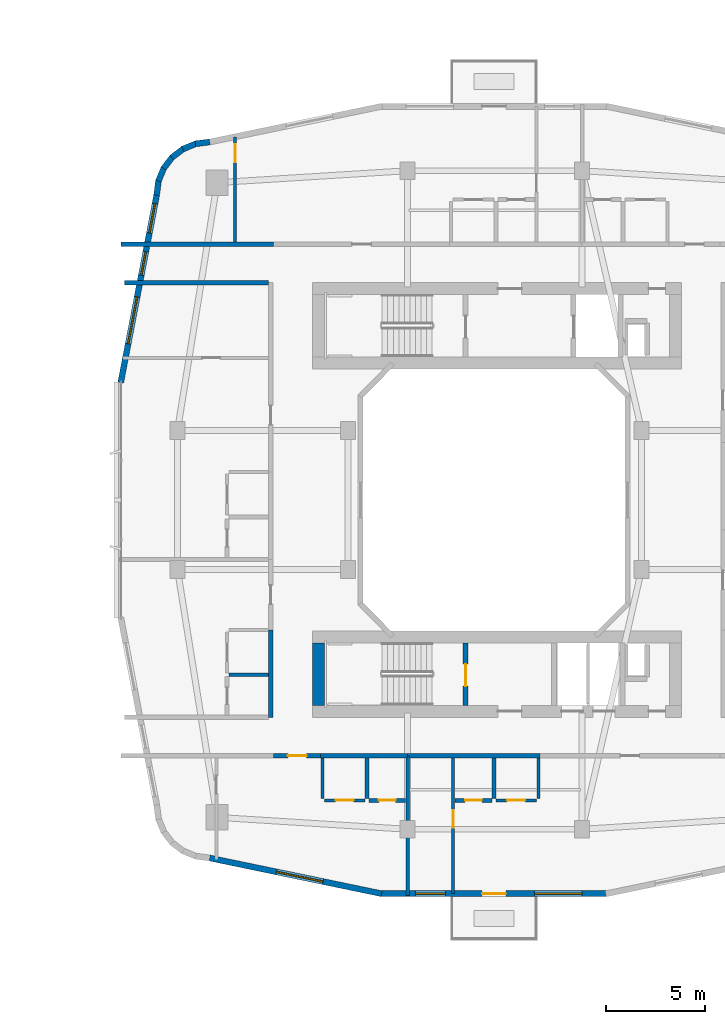
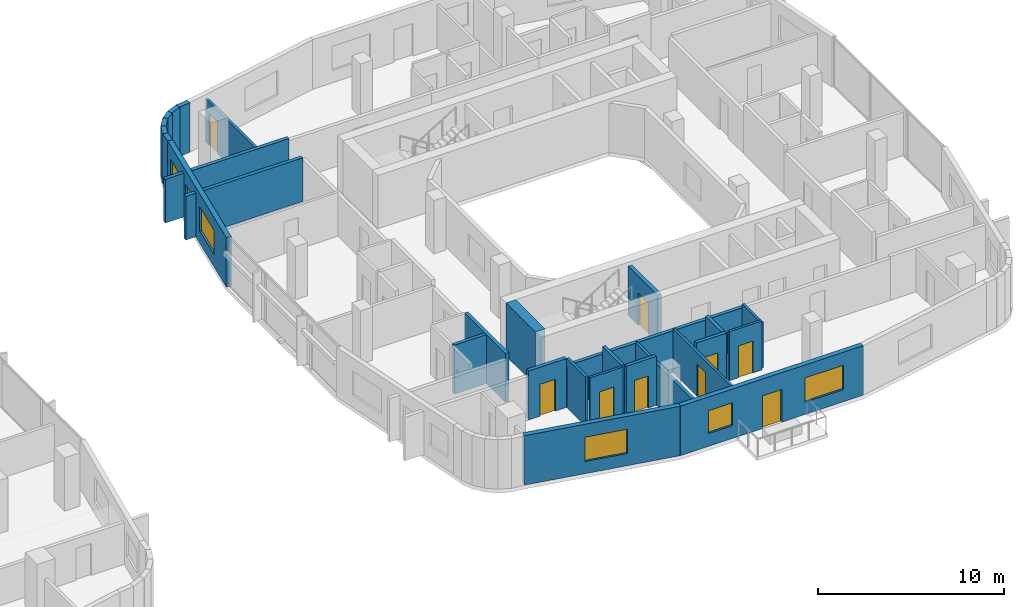
# One storey, part 13 of 22: 29 walls, 9 doors, 6 windows, 15 openings.
"""IFC4 building model written with IfcOpenShell, lengths in metres."""

import ifcopenshell
import ifcopenshell.guid

model = None  # the IFC model being written
_history = None  # IfcOwnerHistory: only IFC2X3 demands one
_inside = {}  # id of a spatial element -> (the spatial element, [elements in it])
_under = {}  # id of a project, library or spatial element -> (it, [spatial elements below it])
_declared = {}  # id of a project -> (the project, [libraries it declares])
_typed = {}  # id of a type object -> (the type object, [elements of that type])
_made_of = {}  # id of a material, layer set ... -> (it, [elements and type objects made of it])


def new_model(schema):
    """Start an empty IFC model of exactly this schema.

    Asked for "IFC4X3", IfcOpenShell would pick the latest addendum, in which some entities
    have other attributes; the version numbers below select the first issue.
    IFC2X3 requires an IfcOwnerHistory on every rooted entity: one is made here for all.
    """
    global model, _history
    if schema == "IFC4X3":
        model = ifcopenshell.file(schema_version=(4, 3, 0, 0))
    else:
        model = ifcopenshell.file(schema=schema)
    _inside.clear()
    _under.clear()
    _declared.clear()
    _typed.clear()
    _made_of.clear()
    _history = None
    if model.schema == "IFC2X3":
        org = make("IfcOrganization", Name="unknown")
        user = make(
            "IfcPersonAndOrganization",
            ThePerson=make("IfcPerson", FamilyName="unknown"),
            TheOrganization=org,
        )
        app = make(
            "IfcApplication",
            ApplicationDeveloper=org,
            Version="unknown",
            ApplicationFullName="unknown",
            ApplicationIdentifier="unknown",
        )
        _history = make(
            "IfcOwnerHistory",
            OwningUser=user,
            OwningApplication=app,
            ChangeAction="ADDED",
            CreationDate=0,
        )
    return model


def make(cls, **values):
    """One entity of the class cls with the attributes given. An attribute that is None is left unset."""
    return model.create_entity(
        cls, **{name: value for name, value in values.items() if value is not None}
    )


def rooted(cls, **values):
    """An entity with a GlobalId (a new one), such as an element, a storey or a relation."""
    return make(cls, GlobalId=ifcopenshell.guid.new(), OwnerHistory=_history, **values)


def si_unit(unit_type, name, prefix=None):
    """IfcSIUnit, for example si_unit("LENGTHUNIT", "METRE", prefix="MILLI")."""
    return make("IfcSIUnit", UnitType=unit_type, Prefix=prefix, Name=name)


def derived_unit(unit_type, elements):
    """IfcDerivedUnit: a product of units, each with its exponent."""
    return make(
        "IfcDerivedUnit",
        Elements=[
            make("IfcDerivedUnitElement", Unit=unit, Exponent=power)
            for unit, power in elements
        ],
        UnitType=unit_type,
    )


def assignment(units):
    """IfcUnitAssignment: the units of a project."""
    return None if units is None else make("IfcUnitAssignment", Units=units)


def point(xyz):
    """IfcCartesianPoint."""
    return None if xyz is None else make("IfcCartesianPoint", Coordinates=xyz)


def direction(xyz):
    """IfcDirection."""
    return None if xyz is None else make("IfcDirection", DirectionRatios=xyz)


def frame(location, z_axis=None, x_axis=None):
    """IfcAxis2Placement3D, a coordinate frame: its origin and axes. An axis left out is left unset."""
    return make(
        "IfcAxis2Placement3D",
        Location=point(location),
        Axis=direction(z_axis),
        RefDirection=direction(x_axis),
    )


def frame_2d(location, x_axis=None):
    """IfcAxis2Placement2D, a coordinate frame in the plane: its origin and x axis."""
    return make(
        "IfcAxis2Placement2D", Location=point(location), RefDirection=direction(x_axis)
    )


def origin():
    """The frame at (0, 0, 0) with its axes left unset."""
    return frame((0.0, 0.0, 0.0))


def place(relative_to, where):
    """IfcLocalPlacement: puts the frame where relative to a parent placement (None: the world)."""
    return make(
        "IfcLocalPlacement", PlacementRelTo=relative_to, RelativePlacement=where
    )


def context(
    kind, dimensions, precision=None, world=None, true_north=None, identifier=None
):
    """IfcGeometricRepresentationContext, for example the 3D "Model" context."""
    return make(
        "IfcGeometricRepresentationContext",
        ContextIdentifier=identifier,
        ContextType=kind,
        CoordinateSpaceDimension=dimensions,
        Precision=precision,
        WorldCoordinateSystem=world,
        TrueNorth=true_north,
    )


def subcontext(parent, identifier, kind, view, scale=None):
    """IfcGeometricRepresentationSubContext, for example "Body" below "Model"."""
    return make(
        "IfcGeometricRepresentationSubContext",
        ContextIdentifier=identifier,
        ContextType=kind,
        ParentContext=parent,
        TargetScale=scale,
        TargetView=view,
    )


def project(units=None, contexts=None):
    """IfcProject with its units and contexts."""
    return rooted(
        "IfcProject",
        Name="project",
        RepresentationContexts=contexts,
        UnitsInContext=assignment(units),
    )


def spatial(cls, under=None, at=None, **own):
    """A site, building, storey or space (cls), placed at a placement, below another one or the project."""
    s = rooted(cls, ObjectPlacement=at, **own)
    if under is not None:
        _under.setdefault(under.id(), (under, []))[1].append(s)
    return s


def profile(cls, at=None, kind="AREA", **sizes):
    """A parametric profile (cls). Its sizes go by their IFC names, for example OverallWidth=200.0."""
    return make(cls, ProfileType=kind, Position=at, **sizes)


def rectangle(**sizes):
    """IfcRectangleProfileDef."""
    return profile("IfcRectangleProfileDef", **sizes)


def extrude(swept, where, along, depth):
    """IfcExtrudedAreaSolid: the profile swept, set in the frame where, extruded along a direction by depth."""
    return make(
        "IfcExtrudedAreaSolid",
        SweptArea=swept,
        Position=where,
        ExtrudedDirection=direction(along),
        Depth=depth,
    )


def shape(context_of_items, identifier, shape_type, items):
    """IfcShapeRepresentation: the items that make up one representation, for example the "Body"."""
    return make(
        "IfcShapeRepresentation",
        ContextOfItems=context_of_items,
        RepresentationIdentifier=identifier,
        RepresentationType=shape_type,
        Items=items,
    )


def material(Name=None, Category=None):
    """IfcMaterial."""
    return make("IfcMaterial", Name=Name, Category=Category)


def layer(
    of_material, thickness, ventilated=None, Name=None, Category=None, Priority=None
):
    """IfcMaterialLayer: one layer of a wall or slab, of a material (None: an air gap)."""
    return make(
        "IfcMaterialLayer",
        Material=of_material,
        LayerThickness=thickness,
        IsVentilated=ventilated,
        Name=Name,
        Category=Category,
        Priority=Priority,
    )


def layer_set(layers, Name=None):
    """IfcMaterialLayerSet."""
    return make("IfcMaterialLayerSet", MaterialLayers=layers, LayerSetName=Name)


def made_of(thing, what):
    """Note that an element or type object is made of a material, layer set ...; save() writes the relation."""
    if what is not None:
        _made_of.setdefault(what.id(), (what, []))[1].append(thing)
    return thing


def type_object(cls, material=None, **own):
    """A type object (cls), such as IfcWallType, which elements share."""
    return made_of(rooted(cls, **own), material)


def element(
    cls,
    number,
    at=None,
    inside=None,
    cuts=None,
    type_object=None,
    material=None,
    context=None,
    identifier="Body",
    shape_type=None,
    held_by="IfcProductDefinitionShape",
    body=None,
    shapes=None,
    **own,
):
    """One element of the class cls, such as IfcWall. Its Tag is "e" and its number.

    at: its placement. inside: the storey or other place that contains it. cuts: it is an
    opening in that element (IfcRelVoidsElement). A single representation is given by context,
    identifier, shape_type and body (its items); several are given by shapes. held_by: the class
    of the entity that holds the representations. save() writes the other relations.
    """
    e = rooted(cls, Tag="e%d" % number, ObjectPlacement=at, **own)
    if body is not None:
        shapes = [shape(context, identifier, shape_type, body)]
    if shapes is not None:
        e.Representation = make(held_by, Representations=shapes)
    if inside is not None:
        _inside.setdefault(inside.id(), (inside, []))[1].append(e)
    if cuts is not None:
        rooted(
            "IfcRelVoidsElement", RelatingBuildingElement=cuts, RelatedOpeningElement=e
        )
    if type_object is not None:
        _typed.setdefault(type_object.id(), (type_object, []))[1].append(e)
    return made_of(e, material)


def fill(opening, filler):
    """IfcRelFillsElement: the door or window that sits in an opening."""
    return rooted(
        "IfcRelFillsElement",
        RelatingOpeningElement=opening,
        RelatedBuildingElement=filler,
    )


def aggregate(whole, parts):
    """IfcRelAggregates: a whole, such as a stair, and the parts it consists of."""
    return rooted("IfcRelAggregates", RelatingObject=whole, RelatedObjects=parts)


def save(model, path):
    """Write the relations noted so far, then the file.

    IfcRelAggregates (storeys below a building ...), IfcRelContainedInSpatialStructure (elements
    in a storey), IfcRelDefinesByType, IfcRelAssociatesMaterial and IfcRelDeclares: one each for
    every whole, place, type object, material and project.
    """
    for whole, parts in _under.values():
        aggregate(whole, parts)
    for where, things in _inside.values():
        rooted(
            "IfcRelContainedInSpatialStructure",
            RelatedElements=things,
            RelatingStructure=where,
        )
    for kind, things in _typed.values():
        rooted("IfcRelDefinesByType", RelatedObjects=things, RelatingType=kind)
    for what, things in _made_of.values():
        rooted("IfcRelAssociatesMaterial", RelatedObjects=things, RelatingMaterial=what)
    for by, libraries in _declared.values():
        rooted("IfcRelDeclares", RelatingContext=by, RelatedDefinitions=libraries)
    model.write(path)


model = new_model("IFC4")

# Units and contexts
model_context = context("Model", 3, precision=1e-05, world=origin(), true_north=direction((0.0, 1.0)))
body_context = subcontext(model_context, "Body", "Model", "MODEL_VIEW")
ifc_project = project(units=[si_unit("LENGTHUNIT", "METRE"), si_unit("AREAUNIT", "SQUARE_METRE"), si_unit("VOLUMEUNIT", "CUBIC_METRE"), si_unit("PLANEANGLEUNIT", "RADIAN"), si_unit("MASSUNIT", "GRAM", prefix="KILO"), derived_unit("THERMALTRANSMITTANCEUNIT", [(si_unit("POWERUNIT", "WATT"), 1), (si_unit("LENGTHUNIT", "METRE"), -2), (si_unit("THERMODYNAMICTEMPERATUREUNIT", "KELVIN"), -1)])], contexts=[model_context])

# Site, building, storey
site_placement = place(None, origin())
site = spatial("IfcSite", under=ifc_project, at=site_placement, CompositionType="ELEMENT")
building_placement = place(site_placement, origin())
building = spatial("IfcBuilding", under=site, at=building_placement, Name="Kivonza Crest Hotel", CompositionType="ELEMENT")
storey_placement = place(building_placement, frame((0.0, 0.0, 48.5)))
storey = spatial("IfcBuildingStorey", under=building, at=storey_placement, Name="L12", CompositionType="ELEMENT", Elevation=48.5)

# Walls
ifc_material_1 = material(Name="High-density acoustic masonry inter-tenancy wall", Category="masonry")
ifc_layer_1 = layer(ifc_material_1, 0.179931640625)
ifc_layer_set_1 = layer_set([ifc_layer_1], Name="High-density acoustic masonry inter-tenancy wall")
wall_type_1 = type_object("IfcWallType", Name="WL-ACOU-180", PredefinedType="SOLIDWALL", material=ifc_layer_set_1)
wall_1_placement = place(storey_placement, frame((72.60009765625, 5.06005859375, 0.0), z_axis=(0.0, 0.0, 1.0), x_axis=(0.0, 1.0, 0.0)))
element("IfcWall", 1, at=wall_1_placement, inside=storey, type_object=wall_type_1, Name="L12 interior partition WA-L12-T2S-DIV1", PredefinedType="SOLIDWALL", context=body_context, shape_type="SweptSolid", body=[
    extrude(rectangle(XDim=7.0400390625, YDim=0.179931640625, at=frame_2d((3.52001953125, 0.0))), origin(), (0.0, 0.0, 1.0), 2.72509765625),
])
ifc_material_2 = material(Name="Autoclaved aerated concrete blockwork", Category="masonry")
ifc_layer_2 = layer(ifc_material_2, 0.219970703125)
ifc_layer_set_2 = layer_set([ifc_layer_2], Name="Autoclaved aerated concrete blockwork")
wall_type_2 = type_object("IfcWallType", Name="WL-ACOU-220", PredefinedType="SOLIDWALL", material=ifc_layer_set_2)
wall_2_placement = place(storey_placement, frame((58.159912109375, 37.89990234375, 0.0), z_axis=(0.0, 0.0, 1.0), x_axis=(1.0, 0.0, 0.0)))
element("IfcWall", 2, at=wall_2_placement, inside=storey, type_object=wall_type_2, Name="L12 interior partition WA-L12-A01-LCORR", PredefinedType="SOLIDWALL", context=body_context, shape_type="SweptSolid", body=[
    extrude(rectangle(XDim=7.690185546875, YDim=0.219970703125, at=frame_2d((3.84521484375, 0.0))), origin(), (0.0, 0.0, 1.0), 2.864990234375),
])
wall_3_placement = place(storey_placement, frame((68.219970703125, 12.10009765625, 0.0), z_axis=(0.0, 0.0, 1.0), x_axis=(1.0, 0.0, 0.0)))
element("IfcWall", 3, at=wall_3_placement, inside=storey, type_object=wall_type_2, Name="L12 interior partition WA-L12-A03-RCORR", PredefinedType="SOLIDWALL", context=body_context, shape_type="SweptSolid", body=[
    extrude(rectangle(XDim=4.380126953125, YDim=0.219970703125, at=frame_2d((2.18994140625, 0.0))), origin(), (0.0, 0.0, 1.0), 2.72509765625),
])

# Wall, opening, door
wall_4_placement = place(storey_placement, frame((65.85009765625, 12.10009765625, 0.0), z_axis=(0.0, 0.0, 1.0), x_axis=(1.0, 0.0, 0.0)))
wall_4 = element("IfcWall", 4, at=wall_4_placement, inside=storey, type_object=wall_type_2, Name="L12 interior partition WA-L12-A03-MCORR", PredefinedType="SOLIDWALL", context=body_context, shape_type="SweptSolid", body=[
    extrude(rectangle(XDim=2.369873046875, YDim=0.219970703125, at=frame_2d((1.18505859375, 0.0))), origin(), (0.0, 0.0, 1.0), 3.219970703125),
])
opening_1_placement = place(wall_4_placement, frame((0.7099609375, 0.0, 0.0)))
opening_1 = element("IfcOpeningElement", 5, at=opening_1_placement, cuts=wall_4, Name="Opening DU-60", PredefinedType="OPENING", context=body_context, shape_type="SweptSolid", body=[
    extrude(rectangle(XDim=0.949951171875, YDim=2.10009765625, at=frame_2d((0.47509765625, 1.050048828125))), frame((0.0, 0.1201171875, 0.0), z_axis=(0.0, -1.0, 0.0), x_axis=(1.0, 0.0, 0.0)), (0.0, 0.0, 1.0), 0.239990234375),
])
ifc_material_3 = material(Name="Hardwood timber oak", Category="wood")
door_type_1 = type_object("IfcDoorType", Name="DR-UNIT-950", OperationType="NOTDEFINED", PredefinedType="DOOR", material=ifc_material_3)
door_1_placement = place(opening_1_placement, frame((0.949951171875, 0.0, 0.0), z_axis=(0.0, 0.0, 1.0), x_axis=(-1.0, 0.0, 0.0)))
door_1 = element("IfcDoor", 6, at=door_1_placement, inside=storey, type_object=door_type_1, Name="L12 A03 apartment entrance fire door", OperationType="SINGLE_SWING_LEFT", OverallHeight=2.10009765625, OverallWidth=0.949951171875, PredefinedType="DOOR", context=body_context, shape_type="SweptSolid", body=[
    extrude(rectangle(XDim=0.949951171875, YDim=2.10009765625, at=frame_2d((0.47509765625, 1.050048828125))), frame((0.0, 0.02490234375, 0.0), z_axis=(0.0, -1.0, 0.0), x_axis=(1.0, 0.0, 0.0)), (0.0, 0.0, 1.0), 0.050048828125),
])
fill(opening_1, door_1)

# Walls
wall_5_placement = place(storey_placement, frame((72.60009765625, 12.10009765625, 0.0), z_axis=(0.0, 0.0, 1.0), x_axis=(1.0, 0.0, 0.0)))
element("IfcWall", 7, at=wall_5_placement, inside=storey, type_object=wall_type_2, Name="L12 interior partition WA-L12-A04-LCORR", PredefinedType="SOLIDWALL", context=body_context, shape_type="SweptSolid", body=[
    extrude(rectangle(XDim=6.679931640625, YDim=0.219970703125, at=frame_2d((3.33984375, 0.0))), origin(), (0.0, 0.0, 1.0), 2.72509765625),
])
wall_6_placement = place(storey_placement, frame((58.320068359375, 35.9599609375, 0.0), z_axis=(0.0, 0.0, 1.0), x_axis=(1.0, 0.0, 0.0)))
element("IfcWall", 8, at=wall_6_placement, inside=storey, type_object=wall_type_2, Name="L12 interior partition WA-L12-T2W-ENDN", PredefinedType="SOLIDWALL", context=body_context, shape_type="SweptSolid", body=[
    extrude(rectangle(XDim=7.280029296875, YDim=0.219970703125, at=frame_2d((3.64013671875, 0.0))), origin(), (0.0, 0.0, 1.0), 2.864990234375),
])
wall_7_placement = place(storey_placement, frame((65.699951171875, 14.0400390625, 0.0), z_axis=(0.0, 0.0, 1.0), x_axis=(0.0, 1.0, 0.0)))
element("IfcWall", 9, at=wall_7_placement, inside=storey, type_object=wall_type_2, Name="L12 interior partition WA-L12-A05-BCORR", PredefinedType="SOLIDWALL", context=body_context, shape_type="SweptSolid", body=[
    extrude(rectangle(XDim=4.39990234375, YDim=0.219970703125, at=frame_2d((2.199951171875, 0.0))), origin(), (0.0, 0.0, 1.0), 3.219970703125),
])
ifc_material_4 = material(Name="Concrete C60/75", Category="concrete")
ifc_layer_3 = layer(ifc_material_4, 0.60009765625)
ifc_layer_set_3 = layer_set([ifc_layer_3], Name="Concrete C60/75")
wall_type_3 = type_object("IfcWallType", Name="WL-CORE-600", PredefinedType="SHEAR", material=ifc_layer_set_3)
wall_8_placement = place(storey_placement, frame((68.10009765625, 14.639892578125, 0.0), z_axis=(0.0, 0.0, 1.0), x_axis=(0.0, 1.0, 0.0)))
element("IfcWall", 10, at=wall_8_placement, inside=storey, type_object=wall_type_3, Name="Core wall T2-S West L12", PredefinedType="SHEAR", context=body_context, shape_type="SweptSolid", body=[
    extrude(rectangle(XDim=3.16015625, YDim=0.60009765625, at=frame_2d((1.580078125, 0.0))), origin(), (0.0, 0.0, 1.0), 3.5),
])

# Wall, opening, window
ifc_material_5 = material(Name="Precast concrete C40/50", Category="concrete")
ifc_layer_4 = layer(ifc_material_5, 0.300048828125)
ifc_layer_set_4 = layer_set([ifc_layer_4], Name="Precast concrete C40/50")
wall_type_4 = type_object("IfcWallType", Name="WL-EXT-300", PredefinedType="STANDARD", material=ifc_layer_set_4)
wall_9_placement = place(storey_placement, frame((62.6220703125, 6.948974609375, 0.0), z_axis=(0.0, 0.0, 1.0), x_axis=(0.979119654102, -0.203284782882, 0.0)))
wall_9 = element("IfcWall", 11, at=wall_9_placement, inside=storey, type_object=wall_type_4, Name="L12 T2 exterior insulated wall 7", PredefinedType="STANDARD", context=body_context, shape_type="SweptSolid", body=[
    extrude(rectangle(XDim=8.854736328125, YDim=0.300048828125, at=frame_2d((4.42724609375, 0.0))), origin(), (0.0, 0.0, 1.0), 3.25),
])
opening_2_placement = place(wall_9_placement, frame((3.43896484375, 0.0, 0.800048828125)))
opening_2 = element("IfcOpeningElement", 12, at=opening_2_placement, cuts=wall_9, Name="Opening WN-05", PredefinedType="OPENING", context=body_context, shape_type="SweptSolid", body=[
    extrude(rectangle(XDim=2.39990234375, YDim=1.60009765625, at=frame_2d((1.199951171875, 0.800048828125))), frame((0.0, 0.16015625, 0.0), z_axis=(0.0, -1.0, 0.0), x_axis=(1.0, 0.0, 0.0)), (0.0, 0.0, 1.0), 0.320068359375),
])
ifc_material_6 = material(Name="Thermally broken bronze aluminium and low-E double glazing", Category="aluminium")
window_type_1 = type_object("IfcWindowType", Name="WN-240x160", PartitioningType="TRIPLE_PANEL_VERTICAL", PredefinedType="WINDOW", material=ifc_material_6)
window_1_placement = place(opening_2_placement, origin())
window_1 = element("IfcWindow", 13, at=window_1_placement, inside=storey, type_object=window_type_1, Name="L12 T2 facade window 7", OverallHeight=1.60009765625, OverallWidth=2.39990234375, PartitioningType="SINGLE_PANEL", PredefinedType="WINDOW", context=body_context, shape_type="SweptSolid", body=[
    extrude(rectangle(XDim=2.39990234375, YDim=1.60009765625, at=frame_2d((1.199951171875, 0.800048828125))), frame((0.0, 0.030029296875, 0.0), z_axis=(0.0, -1.0, 0.0), x_axis=(1.0, 0.0, 0.0)), (0.0, 0.0, 1.0), 0.06005859375),
])
fill(opening_2, window_1)

# Wall, openings, door, windows
wall_10_placement = place(storey_placement, frame((71.2470703125, 5.14990234375, 0.0), z_axis=(0.0, 0.0, 1.0), x_axis=(1.0, 0.0, 0.0)))
wall_10 = element("IfcWall", 14, at=wall_10_placement, inside=storey, type_object=wall_type_4, Name="L12 T2 exterior insulated wall 8", PredefinedType="STANDARD", context=body_context, shape_type="SweptSolid", body=[
    extrude(rectangle(XDim=11.390869140625, YDim=0.300048828125, at=frame_2d((5.6953125, 0.0))), origin(), (0.0, 0.0, 1.0), 3.25),
])
opening_3_placement = place(wall_10_placement, frame((5.113037109375, 0.0, 0.0)))
opening_3 = element("IfcOpeningElement", 15, at=opening_3_placement, cuts=wall_10, Name="Opening DT-120", PredefinedType="OPENING", context=body_context, shape_type="SweptSolid", body=[
    extrude(rectangle(XDim=1.199951171875, YDim=2.14990234375, at=frame_2d((0.60009765625, 1.074951171875))), frame((0.0, 0.16015625, 0.0), z_axis=(0.0, -1.0, 0.0), x_axis=(1.0, 0.0, 0.0)), (0.0, 0.0, 1.0), 0.320068359375),
])
opening_4_placement = place(wall_10_placement, frame((1.7529296875, 0.0, 0.85009765625)))
opening_4 = element("IfcOpeningElement", 16, at=opening_4_placement, cuts=wall_10, Name="Opening WN-02", PredefinedType="OPENING", context=body_context, shape_type="SweptSolid", body=[
    extrude(rectangle(XDim=1.5, YDim=1.5, at=frame_2d((0.75, 0.75))), frame((0.0, 0.16015625, 0.0), z_axis=(0.0, -1.0, 0.0), x_axis=(1.0, 0.0, 0.0)), (0.0, 0.0, 1.0), 0.320068359375),
])
opening_5_placement = place(wall_10_placement, frame((7.757080078125, 0.0, 0.800048828125)))
opening_5 = element("IfcOpeningElement", 17, at=opening_5_placement, cuts=wall_10, Name="Opening WN-05", PredefinedType="OPENING", context=body_context, shape_type="SweptSolid", body=[
    extrude(rectangle(XDim=2.39990234375, YDim=1.60009765625, at=frame_2d((1.199951171875, 0.800048828125))), frame((0.0, 0.16015625, 0.0), z_axis=(0.0, -1.0, 0.0), x_axis=(1.0, 0.0, 0.0)), (0.0, 0.0, 1.0), 0.320068359375),
])
ifc_material_7 = material(Name="Anodised bronze aluminium and laminated safety glass", Category="aluminium")
door_type_2 = type_object("IfcDoorType", Name="DR-TERR-1200", OperationType="NOTDEFINED", PredefinedType="DOOR", material=ifc_material_7)
door_2_placement = place(opening_3_placement, frame((1.199951171875, 0.0, 0.0), z_axis=(0.0, 0.0, 1.0), x_axis=(-1.0, 0.0, 0.0)))
door_2 = element("IfcDoor", 18, at=door_2_placement, inside=storey, type_object=door_type_2, Name="T2 L12 SW sky-garden bridge access door", OperationType="SINGLE_SWING_RIGHT", OverallHeight=2.14990234375, OverallWidth=1.199951171875, PredefinedType="DOOR", context=body_context, shape_type="SweptSolid", body=[
    extrude(rectangle(XDim=1.199951171875, YDim=2.14990234375, at=frame_2d((0.60009765625, 1.074951171875))), frame((0.0, 0.02490234375, 0.0), z_axis=(0.0, -1.0, 0.0), x_axis=(1.0, 0.0, 0.0)), (0.0, 0.0, 1.0), 0.050048828125),
])
fill(opening_3, door_2)
window_type_2 = type_object("IfcWindowType", Name="WN-150x150", PartitioningType="DOUBLE_PANEL_VERTICAL", PredefinedType="WINDOW", material=ifc_material_6)
window_2_placement = place(opening_4_placement, origin())
window_2 = element("IfcWindow", 19, at=window_2_placement, inside=storey, type_object=window_type_2, Name="L12 T2 facade window 8 bay 1", OverallHeight=1.5, OverallWidth=1.5, PartitioningType="SINGLE_PANEL", PredefinedType="WINDOW", context=body_context, shape_type="SweptSolid", body=[
    extrude(rectangle(XDim=1.5, YDim=1.5, at=frame_2d((0.75, 0.75))), frame((0.0, 0.030029296875, 0.0), z_axis=(0.0, -1.0, 0.0), x_axis=(1.0, 0.0, 0.0)), (0.0, 0.0, 1.0), 0.06005859375),
])
fill(opening_4, window_2)
window_3_placement = place(opening_5_placement, origin())
window_3 = element("IfcWindow", 20, at=window_3_placement, inside=storey, type_object=window_type_1, Name="L12 T2 facade window 8 bay 2", OverallHeight=1.60009765625, OverallWidth=2.39990234375, PartitioningType="SINGLE_PANEL", PredefinedType="WINDOW", context=body_context, shape_type="SweptSolid", body=[
    extrude(rectangle(XDim=2.39990234375, YDim=1.60009765625, at=frame_2d((1.199951171875, 0.800048828125))), frame((0.0, 0.030029296875, 0.0), z_axis=(0.0, -1.0, 0.0), x_axis=(1.0, 0.0, 0.0)), (0.0, 0.0, 1.0), 0.06005859375),
])
fill(opening_5, window_3)

# Walls
wall_11_placement = place(storey_placement, frame((62.626953125, 43.052001953125, 0.0), z_axis=(0.0, 0.0, 1.0), x_axis=(-0.991480488834, -0.130255288807, 0.0)))
element("IfcWall", 21, at=wall_11_placement, inside=storey, type_object=wall_type_4, Name="L12 T2 exterior insulated wall 28", PredefinedType="STANDARD", context=body_context, shape_type="SweptSolid", body=[
    extrude(rectangle(XDim=0.72900390625, YDim=0.300048828125, at=frame_2d((0.364501953125, 0.0))), origin(), (0.0, 0.0, 1.0), 3.25),
])
for number, where, z_axis, x_axis, name in (
    (22, (61.955078125, 42.97607421875, 0.0), (0.0, 0.0, 1.0), (-0.923521684703, -0.383546213491, 0.0), "L12 T2 exterior insulated wall 29"),
    (23, (61.31103515625, 42.720947265625, 0.0), (0.0, 0.0, 1.0), (-0.79363269798, -0.608397189915, 0.0), "L12 T2 exterior insulated wall 30"),
    (24, (60.75390625, 42.30908203125, 0.0), (0.0, 0.0, 1.0), (-0.608397189915, -0.79363269798, 0.0), "L12 T2 exterior insulated wall 31"),
    (25, (60.323974609375, 41.76611328125, 0.0), (0.0, 0.0, 1.0), (-0.383151213466, -0.923685632463, 0.0), "L12 T2 exterior insulated wall 32"),
):
    element("IfcWall", number, at=place(storey_placement, frame(where, z_axis=z_axis, x_axis=x_axis)), inside=storey, type_object=wall_type_4, Name=name, PredefinedType="STANDARD", context=body_context, shape_type="SweptSolid", body=[
        extrude(rectangle(XDim=0.74609375, YDim=0.300048828125, at=frame_2d((0.373046875, 0.0))), origin(), (0.0, 0.0, 1.0), 3.25),
    ])
wall_12_placement = place(storey_placement, frame((60.047119140625, 41.131103515625, 0.0), z_axis=(0.0, 0.0, 1.0), x_axis=(-0.129653178221, -0.991559404866, 0.0)))
element("IfcWall", 26, at=wall_12_placement, inside=storey, type_object=wall_type_4, Name="L12 T2 exterior insulated wall 33", PredefinedType="STANDARD", context=body_context, shape_type="SweptSolid", body=[
    extrude(rectangle(XDim=0.764404296875, YDim=0.300048828125, at=frame_2d((0.38232421875, 0.0))), origin(), (0.0, 0.0, 1.0), 3.25),
])

# Wall, openings, windows
wall_13_placement = place(storey_placement, frame((59.948974609375, 40.3798828125, 0.0), z_axis=(0.0, 0.0, 1.0), x_axis=(-0.188087874316, -0.982152203854, 0.0)))
wall_13 = element("IfcWall", 27, at=wall_13_placement, inside=storey, type_object=wall_type_4, Name="L12 T2 exterior insulated wall 34", PredefinedType="STANDARD", context=body_context, shape_type="SweptSolid", body=[
    extrude(rectangle(XDim=9.6337890625, YDim=0.300048828125, at=frame_2d((4.81689453125, 0.0))), origin(), (0.0, 0.0, 1.0), 3.25),
])
opening_6_placement = place(wall_13_placement, frame((0.451904296875, 0.0, 0.85009765625)))
opening_6 = element("IfcOpeningElement", 28, at=opening_6_placement, cuts=wall_13, Name="Opening WN-02", PredefinedType="OPENING", context=body_context, shape_type="SweptSolid", body=[
    extrude(rectangle(XDim=1.5, YDim=1.5, at=frame_2d((0.75, 0.75))), frame((0.0, 0.16015625, 0.0), z_axis=(0.0, -1.0, 0.0), x_axis=(1.0, 0.0, 0.0)), (0.0, 0.0, 1.0), 0.320068359375),
])
opening_7_placement = place(wall_13_placement, frame((2.9130859375, 0.0, 0.85009765625)))
opening_7 = element("IfcOpeningElement", 29, at=opening_7_placement, cuts=wall_13, Name="Opening WN-01", PredefinedType="OPENING", context=body_context, shape_type="SweptSolid", body=[
    extrude(rectangle(XDim=1.199951171875, YDim=1.5, at=frame_2d((0.60009765625, 0.75))), frame((0.0, 0.16015625, 0.0), z_axis=(0.0, -1.0, 0.0), x_axis=(1.0, 0.0, 0.0)), (0.0, 0.0, 1.0), 0.320068359375),
])
opening_8_placement = place(wall_13_placement, frame((5.235107421875, 0.0, 0.800048828125)))
opening_8 = element("IfcOpeningElement", 30, at=opening_8_placement, cuts=wall_13, Name="Opening WN-05", PredefinedType="OPENING", context=body_context, shape_type="SweptSolid", body=[
    extrude(rectangle(XDim=2.39990234375, YDim=1.60009765625, at=frame_2d((1.199951171875, 0.800048828125))), frame((0.0, 0.16015625, 0.0), z_axis=(0.0, -1.0, 0.0), x_axis=(1.0, 0.0, 0.0)), (0.0, 0.0, 1.0), 0.320068359375),
])
window_type_3 = type_object("IfcWindowType", Name="WN-120x150", PartitioningType="SINGLE_PANEL", PredefinedType="WINDOW", material=ifc_material_6)
window_4_placement = place(opening_7_placement, origin())
window_4 = element("IfcWindow", 31, at=window_4_placement, inside=storey, type_object=window_type_3, Name="L12 T2 facade window 34 bay 2", OverallHeight=1.5, OverallWidth=1.199951171875, PartitioningType="SINGLE_PANEL", PredefinedType="WINDOW", context=body_context, shape_type="SweptSolid", body=[
    extrude(rectangle(XDim=1.199951171875, YDim=1.5, at=frame_2d((0.60009765625, 0.75))), frame((0.0, 0.030029296875, 0.0), z_axis=(0.0, -1.0, 0.0), x_axis=(1.0, 0.0, 0.0)), (0.0, 0.0, 1.0), 0.06005859375),
])
fill(opening_7, window_4)
window_5_placement = place(opening_6_placement, origin())
window_5 = element("IfcWindow", 32, at=window_5_placement, inside=storey, type_object=window_type_2, Name="L12 T2 facade window 34 bay 1", OverallHeight=1.5, OverallWidth=1.5, PartitioningType="SINGLE_PANEL", PredefinedType="WINDOW", context=body_context, shape_type="SweptSolid", body=[
    extrude(rectangle(XDim=1.5, YDim=1.5, at=frame_2d((0.75, 0.75))), frame((0.0, 0.030029296875, 0.0), z_axis=(0.0, -1.0, 0.0), x_axis=(1.0, 0.0, 0.0)), (0.0, 0.0, 1.0), 0.06005859375),
])
fill(opening_6, window_5)
window_6_placement = place(opening_8_placement, origin())
window_6 = element("IfcWindow", 33, at=window_6_placement, inside=storey, type_object=window_type_1, Name="L12 T2 facade window 34 bay 3", OverallHeight=1.60009765625, OverallWidth=2.39990234375, PartitioningType="SINGLE_PANEL", PredefinedType="WINDOW", context=body_context, shape_type="SweptSolid", body=[
    extrude(rectangle(XDim=2.39990234375, YDim=1.60009765625, at=frame_2d((1.199951171875, 0.800048828125))), frame((0.0, 0.030029296875, 0.0), z_axis=(0.0, -1.0, 0.0), x_axis=(1.0, 0.0, 0.0)), (0.0, 0.0, 1.0), 0.06005859375),
])
fill(opening_8, window_6)

# Wall, opening, door
ifc_material_8 = material(Name="Twin-stud acoustic gypsum board partition", Category="gypsum")
ifc_layer_5 = layer(ifc_material_8, 0.14990234375)
ifc_layer_set_5 = layer_set([ifc_layer_5], Name="Twin-stud acoustic gypsum board partition")
wall_type_5 = type_object("IfcWallType", Name="WL-PART-150", PredefinedType="PARTITIONING", material=ifc_layer_set_5)
wall_14_placement = place(storey_placement, frame((63.909912109375, 38.0, 0.0), z_axis=(0.0, 0.0, 1.0), x_axis=(0.0, 1.0, 0.0)))
wall_14 = element("IfcWall", 34, at=wall_14_placement, inside=storey, type_object=wall_type_5, Name="L12 interior partition WP-L12-A01-BDW1", PredefinedType="PARTITIONING", context=body_context, shape_type="SweptSolid", body=[
    extrude(rectangle(XDim=5.31103515625, YDim=0.14990234375, at=frame_2d((2.655517578125, 0.0))), origin(), (0.0, 0.0, 1.0), 2.864990234375),
])
opening_9_placement = place(wall_14_placement, frame((4.030029296875, 0.0, 0.0)))
opening_9 = element("IfcOpeningElement", 35, at=opening_9_placement, cuts=wall_14, Name="Opening DI-90", PredefinedType="OPENING", context=body_context, shape_type="SweptSolid", body=[
    extrude(rectangle(XDim=0.89990234375, YDim=2.10009765625, at=frame_2d((0.449951171875, 1.050048828125))), frame((0.0, 0.0849609375, 0.0), z_axis=(0.0, -1.0, 0.0), x_axis=(1.0, 0.0, 0.0)), (0.0, 0.0, 1.0), 0.169921875),
])
door_type_3 = type_object("IfcDoorType", Name="DR-INT-900", OperationType="NOTDEFINED", PredefinedType="DOOR", material=ifc_material_3)
door_3_placement = place(opening_9_placement, origin())
door_3 = element("IfcDoor", 36, at=door_3_placement, inside=storey, type_object=door_type_3, Name="L12 A01 bedroom 1 door", OperationType="SINGLE_SWING_RIGHT", OverallHeight=2.10009765625, OverallWidth=0.89990234375, PredefinedType="DOOR", context=body_context, shape_type="SweptSolid", body=[
    extrude(rectangle(XDim=0.89990234375, YDim=2.10009765625, at=frame_2d((0.449951171875, 1.050048828125))), frame((0.0, 0.02490234375, 0.0), z_axis=(0.0, -1.0, 0.0), x_axis=(1.0, 0.0, 0.0)), (0.0, 0.0, 1.0), 0.050048828125),
])
fill(opening_9, door_3)

# Wall
wall_15_placement = place(storey_placement, frame((68.300048828125, 9.949951171875, 0.0), z_axis=(0.0, 0.0, 1.0), x_axis=(0.0, 1.0, 0.0)))
element("IfcWall", 37, at=wall_15_placement, inside=storey, type_object=wall_type_5, Name="L12 interior partition WP-L12-A03-KF", PredefinedType="PARTITIONING", context=body_context, shape_type="SweptSolid", body=[
    extrude(rectangle(XDim=2.050048828125, YDim=0.14990234375, at=frame_2d((1.02490234375, 0.0))), origin(), (0.0, 0.0, 1.0), 3.219970703125),
])

# Wall, opening, door
wall_16_placement = place(storey_placement, frame((68.39990234375, 9.85009765625, 0.0), z_axis=(0.0, 0.0, 1.0), x_axis=(1.0, 0.0, 0.0)))
wall_16 = element("IfcWall", 38, at=wall_16_placement, inside=storey, type_object=wall_type_5, Name="L12 interior partition WP-L12-A03-KSVC", PredefinedType="PARTITIONING", context=body_context, shape_type="SweptSolid", body=[
    extrude(rectangle(XDim=2.050048828125, YDim=0.14990234375, at=frame_2d((1.02490234375, 0.0))), origin(), (0.0, 0.0, 1.0), 3.219970703125),
])
opening_10_placement = place(wall_16_placement, frame((0.574951171875, 0.0, 0.0)))
opening_10 = element("IfcOpeningElement", 39, at=opening_10_placement, cuts=wall_16, Name="Opening DI-90", PredefinedType="OPENING", context=body_context, shape_type="SweptSolid", body=[
    extrude(rectangle(XDim=0.89990234375, YDim=2.10009765625, at=frame_2d((0.449951171875, 1.050048828125))), frame((0.0, 0.0849609375, 0.0), z_axis=(0.0, -1.0, 0.0), x_axis=(1.0, 0.0, 0.0)), (0.0, 0.0, 1.0), 0.169921875),
])
door_4_placement = place(opening_10_placement, frame((0.89990234375, 0.0, 0.0), z_axis=(0.0, 0.0, 1.0), x_axis=(-1.0, 0.0, 0.0)))
door_4 = element("IfcDoor", 40, at=door_4_placement, inside=storey, type_object=door_type_3, Name="L12 A03 apartment kitchen door", OperationType="SINGLE_SWING_LEFT", OverallHeight=2.10009765625, OverallWidth=0.89990234375, PredefinedType="DOOR", context=body_context, shape_type="SweptSolid", body=[
    extrude(rectangle(XDim=0.89990234375, YDim=2.10009765625, at=frame_2d((0.449951171875, 1.050048828125))), frame((0.0, 0.02490234375, 0.0), z_axis=(0.0, -1.0, 0.0), x_axis=(1.0, 0.0, 0.0)), (0.0, 0.0, 1.0), 0.050048828125),
])
fill(opening_10, door_4)

wall_17_placement = place(storey_placement, frame((74.89990234375, 5.159912109375, 0.0), z_axis=(0.0, 0.0, 1.0), x_axis=(0.0, 1.0, 0.0)))
wall_17 = element("IfcWall", 41, at=wall_17_placement, inside=storey, type_object=wall_type_5, Name="L12 interior partition WP-L12-A04-BDW1", PredefinedType="PARTITIONING", context=body_context, shape_type="SweptSolid", body=[
    extrude(rectangle(XDim=6.840087890625, YDim=0.14990234375, at=frame_2d((3.419921875, 0.0))), origin(), (0.0, 0.0, 1.0), 2.864990234375),
])
opening_11_placement = place(wall_17_placement, frame((3.31005859375, 0.0, 0.0)))
opening_11 = element("IfcOpeningElement", 42, at=opening_11_placement, cuts=wall_17, Name="Opening DI-90", PredefinedType="OPENING", context=body_context, shape_type="SweptSolid", body=[
    extrude(rectangle(XDim=0.89990234375, YDim=2.10009765625, at=frame_2d((0.449951171875, 1.050048828125))), frame((0.0, 0.0849609375, 0.0), z_axis=(0.0, -1.0, 0.0), x_axis=(1.0, 0.0, 0.0)), (0.0, 0.0, 1.0), 0.169921875),
])
door_5_placement = place(opening_11_placement, origin())
door_5 = element("IfcDoor", 43, at=door_5_placement, inside=storey, type_object=door_type_3, Name="L12 A04 bedroom 1 door", OperationType="SINGLE_SWING_LEFT", OverallHeight=2.10009765625, OverallWidth=0.89990234375, PredefinedType="DOOR", context=body_context, shape_type="SweptSolid", body=[
    extrude(rectangle(XDim=0.89990234375, YDim=2.10009765625, at=frame_2d((0.449951171875, 1.050048828125))), frame((0.0, 0.02490234375, 0.0), z_axis=(0.0, -1.0, 0.0), x_axis=(1.0, 0.0, 0.0)), (0.0, 0.0, 1.0), 0.050048828125),
])
fill(opening_11, door_5)

# Wall
wall_18_placement = place(storey_placement, frame((79.199951171875, 9.949951171875, 0.0), z_axis=(0.0, 0.0, 1.0), x_axis=(0.0, 1.0, 0.0)))
element("IfcWall", 44, at=wall_18_placement, inside=storey, type_object=wall_type_5, Name="L12 interior partition WP-L12-A04-KF", PredefinedType="PARTITIONING", context=body_context, shape_type="SweptSolid", body=[
    extrude(rectangle(XDim=2.050048828125, YDim=0.14990234375, at=frame_2d((1.02490234375, 0.0))), origin(), (0.0, 0.0, 1.0), 2.985107421875),
])

# Wall, opening, door
wall_19_placement = place(storey_placement, frame((77.050048828125, 9.85009765625, 0.0), z_axis=(0.0, 0.0, 1.0), x_axis=(1.0, 0.0, 0.0)))
wall_19 = element("IfcWall", 45, at=wall_19_placement, inside=storey, type_object=wall_type_5, Name="L12 interior partition WP-L12-A04-KSVC", PredefinedType="PARTITIONING", context=body_context, shape_type="SweptSolid", body=[
    extrude(rectangle(XDim=2.050048828125, YDim=0.14990234375, at=frame_2d((1.02490234375, 0.0))), origin(), (0.0, 0.0, 1.0), 3.219970703125),
])
opening_12_placement = place(wall_19_placement, frame((0.574951171875, 0.0, 0.0)))
opening_12 = element("IfcOpeningElement", 46, at=opening_12_placement, cuts=wall_19, Name="Opening DI-90", PredefinedType="OPENING", context=body_context, shape_type="SweptSolid", body=[
    extrude(rectangle(XDim=0.89990234375, YDim=2.10009765625, at=frame_2d((0.449951171875, 1.050048828125))), frame((0.0, 0.0849609375, 0.0), z_axis=(0.0, -1.0, 0.0), x_axis=(1.0, 0.0, 0.0)), (0.0, 0.0, 1.0), 0.169921875),
])
door_6_placement = place(opening_12_placement, frame((0.89990234375, 0.0, 0.0), z_axis=(0.0, 0.0, 1.0), x_axis=(-1.0, 0.0, 0.0)))
door_6 = element("IfcDoor", 47, at=door_6_placement, inside=storey, type_object=door_type_3, Name="L12 A04 apartment kitchen door", OperationType="SINGLE_SWING_RIGHT", OverallHeight=2.10009765625, OverallWidth=0.89990234375, PredefinedType="DOOR", context=body_context, shape_type="SweptSolid", body=[
    extrude(rectangle(XDim=0.89990234375, YDim=2.10009765625, at=frame_2d((0.449951171875, 1.050048828125))), frame((0.0, 0.02490234375, 0.0), z_axis=(0.0, -1.0, 0.0), x_axis=(1.0, 0.0, 0.0)), (0.0, 0.0, 1.0), 0.050048828125),
])
fill(opening_12, door_6)

# Wall
ifc_material_9 = material(Name="Moisture-resistant plumbing chase partition wall", Category="gypsum")
ifc_layer_6 = layer(ifc_material_9, 0.199951171875)
ifc_layer_set_6 = layer_set([ifc_layer_6], Name="Moisture-resistant plumbing chase partition wall")
wall_type_6 = type_object("IfcWallType", Name="WL-PLUMB-200", PredefinedType="PLUMBINGWALL", material=ifc_layer_set_6)
wall_20_placement = place(storey_placement, frame((70.550048828125, 9.949951171875, 0.0), z_axis=(0.0, 0.0, 1.0), x_axis=(0.0, 1.0, 0.0)))
element("IfcWall", 48, at=wall_20_placement, inside=storey, type_object=wall_type_6, Name="L12 interior partition WW-L12-A03-BK", PredefinedType="PLUMBINGWALL", context=body_context, shape_type="SweptSolid", body=[
    extrude(rectangle(XDim=2.050048828125, YDim=0.199951171875, at=frame_2d((1.02490234375, 0.0))), origin(), (0.0, 0.0, 1.0), 3.219970703125),
])

# Wall, opening, door
wall_21_placement = place(storey_placement, frame((70.64990234375, 9.85009765625, 0.0), z_axis=(0.0, 0.0, 1.0), x_axis=(1.0, 0.0, 0.0)))
wall_21 = element("IfcWall", 49, at=wall_21_placement, inside=storey, type_object=wall_type_6, Name="L12 interior partition WW-L12-A03-BSVC", PredefinedType="PLUMBINGWALL", context=body_context, shape_type="SweptSolid", body=[
    extrude(rectangle(XDim=1.85009765625, YDim=0.199951171875, at=frame_2d((0.925048828125, 0.0))), origin(), (0.0, 0.0, 1.0), 3.219970703125),
])
opening_13_placement = place(wall_21_placement, frame((0.5, 0.0, 0.0)))
opening_13 = element("IfcOpeningElement", 50, at=opening_13_placement, cuts=wall_21, Name="Opening DI-85", PredefinedType="OPENING", context=body_context, shape_type="SweptSolid", body=[
    extrude(rectangle(XDim=0.85009765625, YDim=2.10009765625, at=frame_2d((0.425048828125, 1.050048828125))), frame((0.0, 0.10986328125, 0.0), z_axis=(0.0, -1.0, 0.0), x_axis=(1.0, 0.0, 0.0)), (0.0, 0.0, 1.0), 0.219970703125),
])
door_type_4 = type_object("IfcDoorType", Name="DR-INT-850", OperationType="NOTDEFINED", PredefinedType="DOOR", material=ifc_material_3)
door_7_placement = place(opening_13_placement, frame((0.85009765625, 0.0, 0.0), z_axis=(0.0, 0.0, 1.0), x_axis=(-1.0, 0.0, 0.0)))
door_7 = element("IfcDoor", 51, at=door_7_placement, inside=storey, type_object=door_type_4, Name="L12 A03 apartment bathroom door", OperationType="SINGLE_SWING_RIGHT", OverallHeight=2.10009765625, OverallWidth=0.85009765625, PredefinedType="DOOR", context=body_context, shape_type="SweptSolid", body=[
    extrude(rectangle(XDim=0.85009765625, YDim=2.10009765625, at=frame_2d((0.425048828125, 1.050048828125))), frame((0.0, 0.02490234375, 0.0), z_axis=(0.0, -1.0, 0.0), x_axis=(1.0, 0.0, 0.0)), (0.0, 0.0, 1.0), 0.050048828125),
])
fill(opening_13, door_7)

# Wall
wall_22_placement = place(storey_placement, frame((76.949951171875, 9.949951171875, 0.0), z_axis=(0.0, 0.0, 1.0), x_axis=(0.0, 1.0, 0.0)))
element("IfcWall", 52, at=wall_22_placement, inside=storey, type_object=wall_type_6, Name="L12 interior partition WW-L12-A04-BK", PredefinedType="PLUMBINGWALL", context=body_context, shape_type="SweptSolid", body=[
    extrude(rectangle(XDim=2.050048828125, YDim=0.199951171875, at=frame_2d((1.02490234375, 0.0))), origin(), (0.0, 0.0, 1.0), 2.985107421875),
])

# Wall, opening, door
wall_23_placement = place(storey_placement, frame((75.0, 9.85009765625, 0.0), z_axis=(0.0, 0.0, 1.0), x_axis=(1.0, 0.0, 0.0)))
wall_23 = element("IfcWall", 53, at=wall_23_placement, inside=storey, type_object=wall_type_6, Name="L12 interior partition WW-L12-A04-BSVC", PredefinedType="PLUMBINGWALL", context=body_context, shape_type="SweptSolid", body=[
    extrude(rectangle(XDim=1.85009765625, YDim=0.199951171875, at=frame_2d((0.925048828125, 0.0))), origin(), (0.0, 0.0, 1.0), 3.219970703125),
])
opening_14_placement = place(wall_23_placement, frame((0.5, 0.0, 0.0)))
opening_14 = element("IfcOpeningElement", 54, at=opening_14_placement, cuts=wall_23, Name="Opening DI-85", PredefinedType="OPENING", context=body_context, shape_type="SweptSolid", body=[
    extrude(rectangle(XDim=0.85009765625, YDim=2.10009765625, at=frame_2d((0.425048828125, 1.050048828125))), frame((0.0, 0.10986328125, 0.0), z_axis=(0.0, -1.0, 0.0), x_axis=(1.0, 0.0, 0.0)), (0.0, 0.0, 1.0), 0.219970703125),
])
door_8_placement = place(opening_14_placement, frame((0.85009765625, 0.0, 0.0), z_axis=(0.0, 0.0, 1.0), x_axis=(-1.0, 0.0, 0.0)))
door_8 = element("IfcDoor", 55, at=door_8_placement, inside=storey, type_object=door_type_4, Name="L12 A04 apartment bathroom door", OperationType="SINGLE_SWING_LEFT", OverallHeight=2.10009765625, OverallWidth=0.85009765625, PredefinedType="DOOR", context=body_context, shape_type="SweptSolid", body=[
    extrude(rectangle(XDim=0.85009765625, YDim=2.10009765625, at=frame_2d((0.425048828125, 1.050048828125))), frame((0.0, 0.02490234375, 0.0), z_axis=(0.0, -1.0, 0.0), x_axis=(1.0, 0.0, 0.0)), (0.0, 0.0, 1.0), 0.050048828125),
])
fill(opening_14, door_8)

# Wall
wall_24_placement = place(storey_placement, frame((63.60009765625, 16.18994140625, 0.0), z_axis=(0.0, 0.0, 1.0), x_axis=(1.0, 0.0, 0.0)))
element("IfcWall", 56, at=wall_24_placement, inside=storey, type_object=wall_type_6, Name="L12 interior partition WW-L12-A05-BK", PredefinedType="PLUMBINGWALL", context=body_context, shape_type="SweptSolid", body=[
    extrude(rectangle(XDim=2.0, YDim=0.199951171875, at=frame_2d((1.0, 0.0))), origin(), (0.0, 0.0, 1.0), 3.219970703125),
])

# Wall, opening, door
ifc_material_10 = material(Name="Concrete C50/60", Category="concrete")
ifc_layer_7 = layer(ifc_material_10, 0.25)
ifc_layer_set_7 = layer_set([ifc_layer_7], Name="Concrete C50/60")
wall_type_7 = type_object("IfcWallType", Name="WL-SHAFT-250", PredefinedType="STANDARD", material=ifc_layer_set_7)
wall_25_placement = place(storey_placement, frame((75.52490234375, 14.639892578125, 0.0), z_axis=(0.0, 0.0, 1.0), x_axis=(0.0, 1.0, 0.0)))
wall_25 = element("IfcWall", 57, at=wall_25_placement, inside=storey, type_object=wall_type_7, Name="Core shaft wall T2-S STAIR L12", PredefinedType="STANDARD", context=body_context, shape_type="SweptSolid", body=[
    extrude(rectangle(XDim=3.16015625, YDim=0.25, at=frame_2d((1.580078125, 0.0))), origin(), (0.0, 0.0, 1.0), 3.25),
])
opening_15_placement = place(wall_25_placement, frame((0.97998046875, 0.0, 0.0)))
opening_15 = element("IfcOpeningElement", 58, at=opening_15_placement, cuts=wall_25, Name="Opening DF-120", PredefinedType="OPENING", context=body_context, shape_type="SweptSolid", body=[
    extrude(rectangle(XDim=1.10009765625, YDim=2.14990234375, at=frame_2d((0.550048828125, 1.074951171875))), frame((0.0, 0.135009765625, 0.0), z_axis=(0.0, -1.0, 0.0), x_axis=(1.0, 0.0, 0.0)), (0.0, 0.0, 1.0), 0.27001953125),
])
ifc_material_11 = material(Name="Galvanised steel", Category="steel")
door_type_5 = type_object("IfcDoorType", Name="DR-FD120-1100", OperationType="NOTDEFINED", PredefinedType="DOOR", material=ifc_material_11)
door_9_placement = place(opening_15_placement, frame((1.10009765625, 0.0, 0.0), z_axis=(0.0, 0.0, 1.0), x_axis=(-1.0, 0.0, 0.0)))
door_9 = element("IfcDoor", 59, at=door_9_placement, inside=storey, type_object=door_type_5, Name="L12 T2-S stair fire door", OperationType="SINGLE_SWING_RIGHT", OverallHeight=2.14990234375, OverallWidth=1.10009765625, PredefinedType="DOOR", context=body_context, shape_type="SweptSolid", body=[
    extrude(rectangle(XDim=1.10009765625, YDim=2.14990234375, at=frame_2d((0.550048828125, 1.074951171875))), frame((0.0, 0.02490234375, 0.0), z_axis=(0.0, -1.0, 0.0), x_axis=(1.0, 0.0, 0.0)), (0.0, 0.0, 1.0), 0.050048828125),
])
fill(opening_15, door_9)

save(model, "model.ifc")
